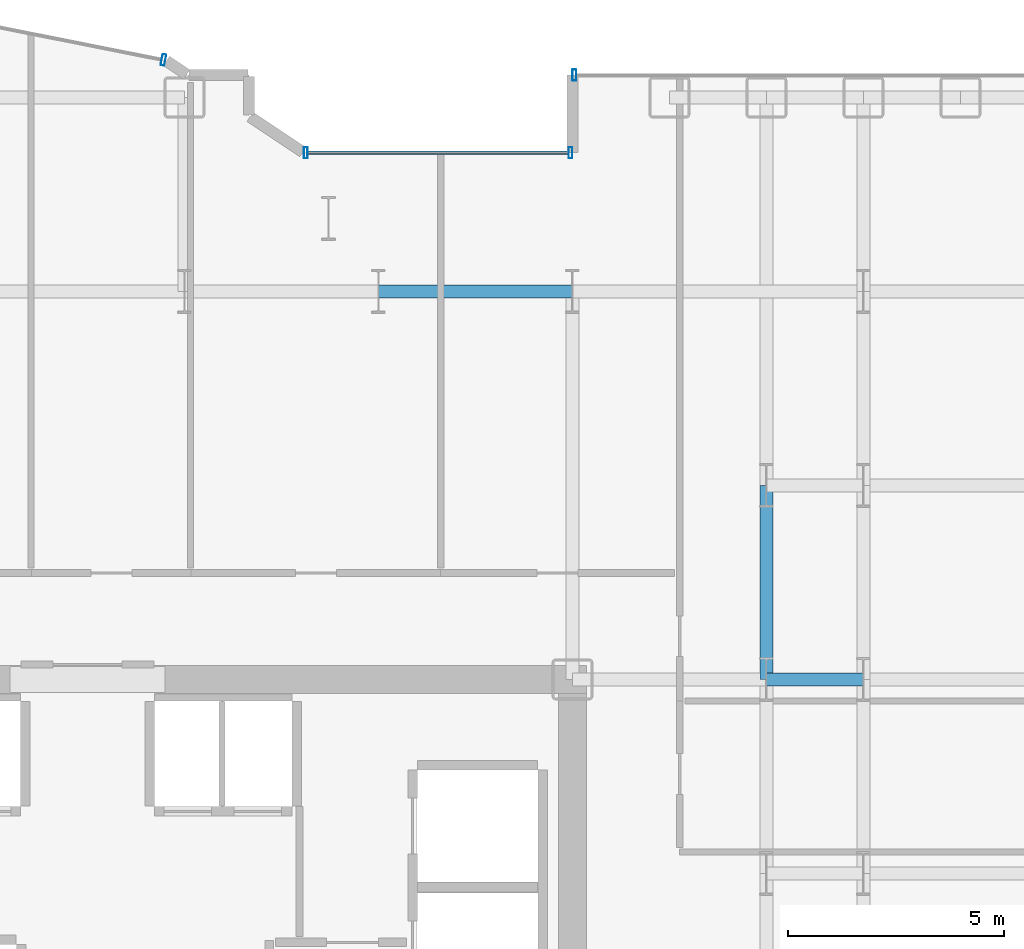
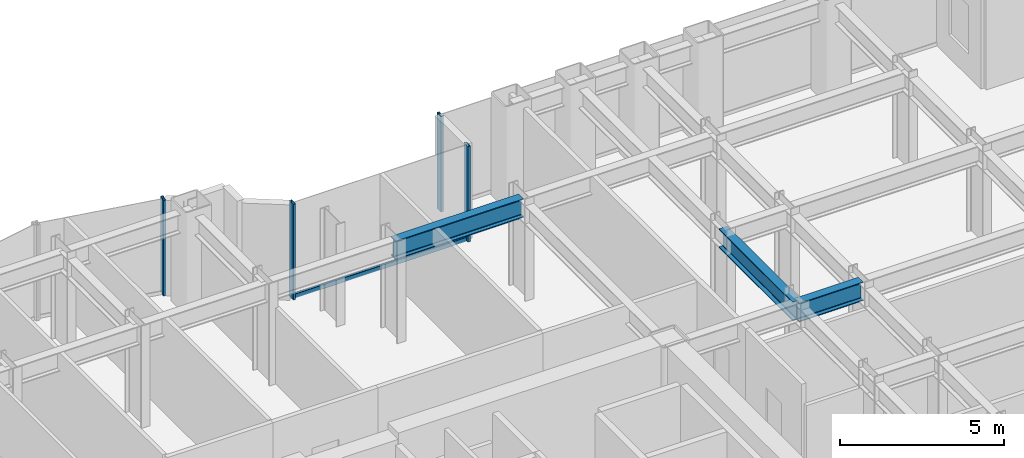
# One storey, part 12 of 26: 5 members, 3 beams, 3 elements without a shape of their own.
"""IFC4 building model written with IfcOpenShell, lengths in metres."""

from ifc_helpers import new_model, si_unit, direction, frame, origin, origin_2d, place, context, subcontext, project, spatial, hollow_rectangle, i_section, extrude, source, transform, mapped, material, layer, layer_set, material_profile, profile_set, type_object, element, aggregate, save


model = new_model("IFC4")

# Units and contexts
model_context = context("Model", 3, precision=1e-05, world=origin(), true_north=direction((0.0, 1.0)))
body_context = subcontext(model_context, "Body", "Model", "MODEL_VIEW")
ifc_project = project(units=[si_unit("LENGTHUNIT", "METRE"), si_unit("AREAUNIT", "SQUARE_METRE"), si_unit("VOLUMEUNIT", "CUBIC_METRE"), si_unit("PLANEANGLEUNIT", "RADIAN"), si_unit("MASSUNIT", "GRAM", prefix="KILO")], contexts=[model_context])

# Site, building, storey
site_placement = place(None, origin())
site = spatial("IfcSite", under=ifc_project, at=site_placement, CompositionType="ELEMENT")
building_placement = place(site_placement, origin())
building = spatial("IfcBuilding", under=site, at=building_placement, Name="Nefas-Gora Pilgrimage Tower", CompositionType="ELEMENT")
storey_placement = place(building_placement, frame((0.0, 0.0, 40.60009765625)))
storey = spatial("IfcBuildingStorey", under=building, at=storey_placement, Name="L08", CompositionType="ELEMENT", Elevation=40.60009765625)

# Beams
ifc_material_1 = material(Name="Steel S355", Category="steel")
ifc_material_profile_1 = material_profile(ifc_material_1, i_section(OverallWidth=0.300048828125, OverallDepth=0.699951171875, WebThickness=0.01708984375, FlangeThickness=0.031982421875, FilletRadius=0.027099609375, at=origin_2d()), Name="HEB 700")
ifc_profile_set_1 = profile_set([ifc_material_profile_1], Name="Steel S355")
beam_type = type_object("IfcBeamType", Name="BM-GIR-HEB700", PredefinedType="BEAM", material=ifc_profile_set_1)
shared_shape_1 = source(origin(), body_context, "Body", "SweptSolid", [
    extrude(i_section(OverallWidth=0.300048828125, OverallDepth=0.699951171875, WebThickness=0.01708984375, FlangeThickness=0.031982421875, FilletRadius=0.027099609375, at=origin_2d()), origin(), (0.0, 0.0, 1.0), 4.5),
])
for number, where, z_axis, x_axis, name in (
    (1, (6.75, 18.0, 3.199951171875), (1.0, 0.0, 0.0), (0.0, 1.0, 0.0), "L08 G-02 beam"),
    (2, (15.75, 9.0, 3.199951171875), (0.0, 1.0, 0.0), (-1.0, 0.0, 0.0), "L08 G-02 beam"),
):
    element("IfcBeam", number, at=place(storey_placement, frame(where, z_axis=z_axis, x_axis=x_axis)), inside=storey, type_object=beam_type, Name=name, PredefinedType="BEAM", context=body_context, shape_type="MappedRepresentation", body=[
        mapped(shared_shape_1, transform((0.0, 0.0, 0.0), x_axis=(1.0, 0.0, 0.0), y_axis=(0.0, 1.0, 0.0), z_axis=(0.0, 0.0, 1.0), scale=1.0)),
    ])
shared_shape_2 = source(origin(), body_context, "Body", "SweptSolid", [
    extrude(i_section(OverallWidth=0.300048828125, OverallDepth=0.699951171875, WebThickness=0.01708984375, FlangeThickness=0.031982421875, FilletRadius=0.027099609375, at=origin_2d()), origin(), (0.0, 0.0, 1.0), 2.25),
])
beam_placement = place(storey_placement, frame((15.75, 9.0, 3.199951171875), z_axis=(1.0, 0.0, 0.0), x_axis=(0.0, 1.0, 0.0)))
element("IfcBeam", 3, at=beam_placement, inside=storey, type_object=beam_type, Name="L08 G-02 beam", PredefinedType="BEAM", context=body_context, shape_type="MappedRepresentation", body=[
    mapped(shared_shape_2, transform((0.0, 0.0, 0.0), x_axis=(1.0, 0.0, 0.0), y_axis=(0.0, 1.0, 0.0), z_axis=(0.0, 0.0, 1.0), scale=1.0)),
])

# Curtain wall, members
ifc_material_2 = material(Name="Dark ceramic-fritted solar-control aluminium-glass curtain wall", Category="aluminium")
ifc_layer_1 = layer(ifc_material_2, 0.219970703125)
ifc_layer_set_1 = layer_set([ifc_layer_1], Name="Dark ceramic-fritted solar-control aluminium-glass curtain wall")
curtain_wall_type_1 = type_object("IfcCurtainWallType", Name="CW-SYS-5", PredefinedType="NOTDEFINED", material=ifc_layer_set_1)
curtain_wall_1_placement = place(storey_placement, origin())
curtain_wall_1 = element("IfcCurtainWall", 4, at=curtain_wall_1_placement, inside=storey, type_object=curtain_wall_type_1, Name="L08 Unitised Curtain Wall CW5", PredefinedType="NOTDEFINED")
ifc_material_3 = material(Name="Anodised architectural aluminium", Category="aluminium")
ifc_material_profile_2 = material_profile(ifc_material_3, hollow_rectangle(XDim=0.080078125, YDim=0.159912109375, WallThickness=0.00439453125, InnerFilletRadius=0.00439453125, OuterFilletRadius=0.009033203125, at=origin_2d()), Name="ALU TRANSOM 80x160")
ifc_profile_set_2 = profile_set([ifc_material_profile_2], Name="Anodised architectural aluminium")
member_type_1 = type_object("IfcMemberType", Name="CWM-TRN-5", PredefinedType="USERDEFINED", material=ifc_profile_set_2)
shared_shape_3 = source(origin(), body_context, "Body", "SweptSolid", [
    extrude(hollow_rectangle(XDim=0.080078125, YDim=0.159912109375, WallThickness=0.00439453125, InnerFilletRadius=0.00439453125, OuterFilletRadius=0.009033203125, at=origin_2d()), origin(), (0.0, 0.0, 1.0), 6.052001953125),
])
member_1_placement = place(storey_placement, frame((11.159912109375, 21.219970703125, 0.0498046875), z_axis=(-1.0, 0.0, 0.0), x_axis=(0.0, -1.0, 0.0)))
member_1 = element("IfcMember", 5, at=member_1_placement, type_object=member_type_1, Name="CW5 Spandrel Transom", ObjectType="TRANSOM", PredefinedType="USERDEFINED", context=body_context, shape_type="MappedRepresentation", body=[
    mapped(shared_shape_3, transform((0.0, 0.0, 0.0), x_axis=(1.0, 0.0, 0.0), y_axis=(0.0, 1.0, 0.0), z_axis=(0.0, 0.0, 1.0), scale=1.0)),
])
ifc_material_profile_3 = material_profile(ifc_material_3, hollow_rectangle(XDim=0.090087890625, YDim=0.260009765625, WallThickness=0.006103515625, InnerFilletRadius=0.006103515625, OuterFilletRadius=0.011962890625, at=origin_2d()), Name="ALU MULLION 90x260")
ifc_profile_set_3 = profile_set([ifc_material_profile_3], Name="Anodised architectural aluminium")
member_type_2 = type_object("IfcMemberType", Name="CWM-MUL-5", PredefinedType="MULLION", material=ifc_profile_set_3)
shared_shape_4 = source(origin(), body_context, "Body", "SweptSolid", [
    extrude(hollow_rectangle(XDim=0.090087890625, YDim=0.260009765625, WallThickness=0.006103515625, InnerFilletRadius=0.006103515625, OuterFilletRadius=0.011962890625, at=origin_2d()), origin(), (0.0, 0.0, 1.0), 3.5498046875),
])
member_2_placement = place(storey_placement, frame((11.205078125, 21.219970703125, 0.0), z_axis=(0.0, 0.0, 1.0), x_axis=(-1.0, 0.0, 0.0)))
member_2 = element("IfcMember", 6, at=member_2_placement, type_object=member_type_2, Name="CW5 Mullion 1", PredefinedType="MULLION", context=body_context, shape_type="MappedRepresentation", body=[
    mapped(shared_shape_4, transform((0.0, 0.0, 0.0), x_axis=(1.0, 0.0, 0.0), y_axis=(0.0, 1.0, 0.0), z_axis=(0.0, 0.0, 1.0), scale=1.0)),
])
member_3_placement = place(storey_placement, frame((5.06298828125, 21.219970703125, 0.0), z_axis=(0.0, 0.0, 1.0), x_axis=(-1.0, 0.0, 0.0)))
member_3 = element("IfcMember", 7, at=member_3_placement, type_object=member_type_2, Name="CW5 Mullion 2", PredefinedType="MULLION", context=body_context, shape_type="MappedRepresentation", body=[
    mapped(shared_shape_4, transform((0.0, 0.0, 0.0), x_axis=(1.0, 0.0, 0.0), y_axis=(0.0, 1.0, 0.0), z_axis=(0.0, 0.0, 1.0), scale=1.0)),
])
aggregate(curtain_wall_1, [member_2, member_3, member_1])

# Curtain wall, member
curtain_wall_2_placement = place(storey_placement, origin())
curtain_wall_2 = element("IfcCurtainWall", 8, at=curtain_wall_2_placement, inside=storey, type_object=curtain_wall_type_1, Name="L08 Unitised Curtain Wall CW5", PredefinedType="NOTDEFINED")
member_4_placement = place(storey_placement, frame((1.76318359375, 23.3740234375, 0.0), z_axis=(0.0, 0.0, 1.0), x_axis=(-0.980782896852, 0.195102304554, 0.0)))
member_4 = element("IfcMember", 9, at=member_4_placement, type_object=member_type_2, Name="CW5 Mullion 1", PredefinedType="MULLION", context=body_context, shape_type="MappedRepresentation", body=[
    mapped(shared_shape_4, transform((0.0, 0.0, 0.0), x_axis=(1.0, 0.0, 0.0), y_axis=(0.0, 1.0, 0.0), z_axis=(0.0, 0.0, 1.0), scale=1.0)),
])
aggregate(curtain_wall_2, [member_4])

ifc_layer_2 = layer(ifc_material_2, 0.219970703125)
ifc_layer_set_2 = layer_set([ifc_layer_2], Name="Dark ceramic-fritted solar-control aluminium-glass curtain wall")
curtain_wall_type_2 = type_object("IfcCurtainWallType", Name="CW-SYS-2", PredefinedType="NOTDEFINED", material=ifc_layer_set_2)
curtain_wall_3_placement = place(storey_placement, origin())
curtain_wall_3 = element("IfcCurtainWall", 10, at=curtain_wall_3_placement, inside=storey, type_object=curtain_wall_type_2, Name="L08 Unitised Curtain Wall CW2", PredefinedType="NOTDEFINED")
ifc_material_profile_4 = material_profile(ifc_material_3, hollow_rectangle(XDim=0.090087890625, YDim=0.260009765625, WallThickness=0.006103515625, InnerFilletRadius=0.006103515625, OuterFilletRadius=0.011962890625, at=origin_2d()), Name="ALU MULLION 90x260")
ifc_profile_set_4 = profile_set([ifc_material_profile_4], Name="Anodised architectural aluminium")
member_type_3 = type_object("IfcMemberType", Name="CWM-MUL-2", PredefinedType="MULLION", material=ifc_profile_set_4)
shared_shape_5 = source(origin(), body_context, "Body", "SweptSolid", [
    extrude(hollow_rectangle(XDim=0.090087890625, YDim=0.260009765625, WallThickness=0.006103515625, InnerFilletRadius=0.006103515625, OuterFilletRadius=0.011962890625, at=origin_2d()), origin(), (0.0, 0.0, 1.0), 3.5498046875),
])
member_5_placement = place(storey_placement, frame((11.294921875, 23.02001953125, 0.0), z_axis=(0.0, 0.0, 1.0), x_axis=(-1.0, 0.0, 0.0)))
member_5 = element("IfcMember", 11, at=member_5_placement, type_object=member_type_3, Name="CW2 Mullion 2", PredefinedType="MULLION", context=body_context, shape_type="MappedRepresentation", body=[
    mapped(shared_shape_5, transform((0.0, 0.0, 0.0), x_axis=(1.0, 0.0, 0.0), y_axis=(0.0, 1.0, 0.0), z_axis=(0.0, 0.0, 1.0), scale=1.0)),
])
aggregate(curtain_wall_3, [member_5])

save(model, "model.ifc")
